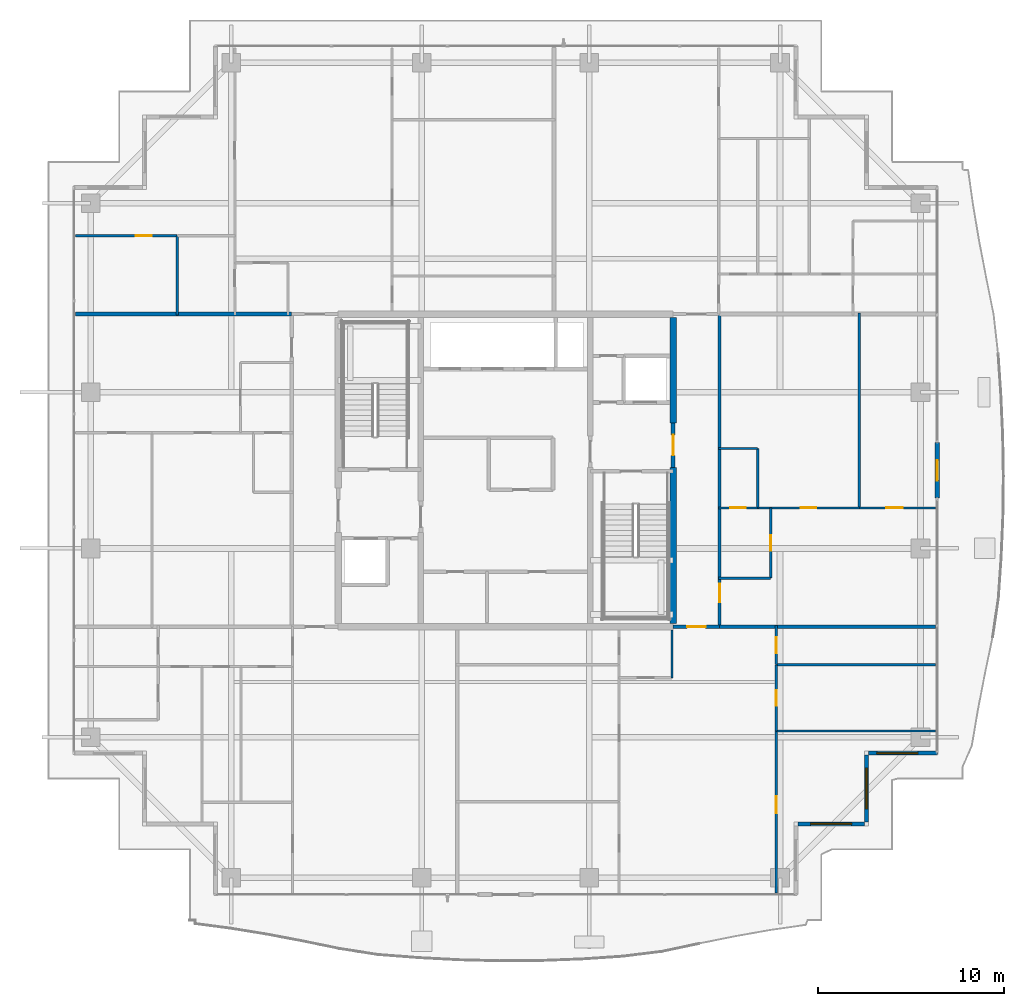
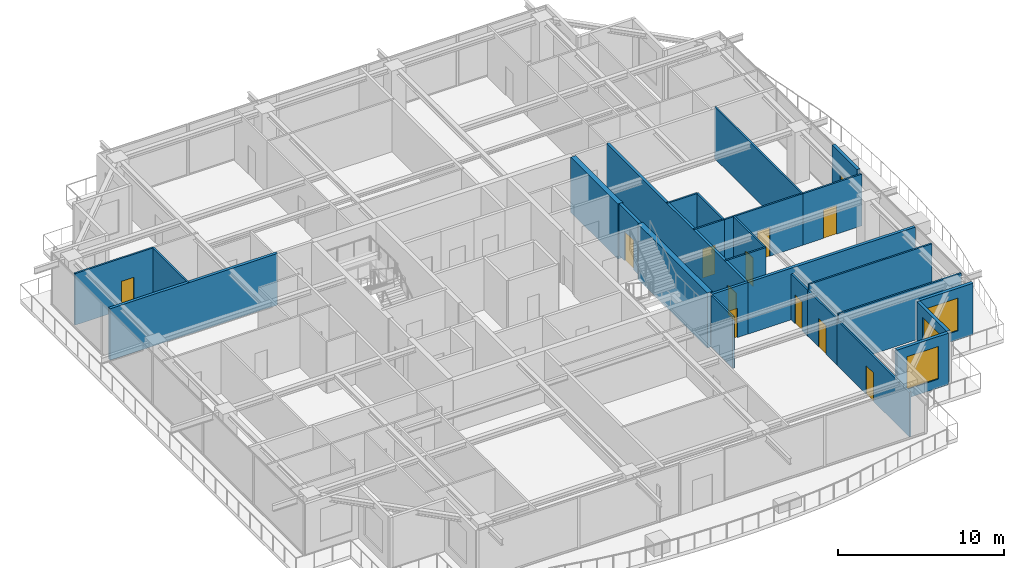
# One storey, part 32 of 41: 27 walls, 12 doors, 3 windows, 15 openings.
"""IFC4 building model written with IfcOpenShell, lengths in metres."""

from ifc_helpers import new_model, si_unit, direction, frame, frame_2d, origin, place, context, subcontext, project, spatial, rectangle, extrude, source, transform, mapped, material, layer, layer_set, type_object, element, fill, save


model = new_model("IFC4")

# Units and contexts
model_context = context("Model", 3, precision=1e-05, world=origin(), true_north=direction((0.0, 1.0)))
body_context = subcontext(model_context, "Body", "Model", "MODEL_VIEW")
ifc_project = project(units=[si_unit("LENGTHUNIT", "METRE"), si_unit("AREAUNIT", "SQUARE_METRE"), si_unit("VOLUMEUNIT", "CUBIC_METRE"), si_unit("PLANEANGLEUNIT", "RADIAN"), si_unit("MASSUNIT", "GRAM", prefix="KILO")], contexts=[model_context])

# Site, building, storey
site_placement = place(None, origin())
site = spatial("IfcSite", under=ifc_project, at=site_placement, CompositionType="ELEMENT")
building_placement = place(site_placement, origin())
building = spatial("IfcBuilding", under=site, at=building_placement, Name="Serunith Strait Residences", CompositionType="ELEMENT")
storey_placement = place(building_placement, frame((0.0, 0.0, 301.550048828125)))
storey = spatial("IfcBuildingStorey", under=building, at=storey_placement, Name="L75", CompositionType="ELEMENT", Elevation=301.550048828125)

# Wall, opening, window
ifc_material_1 = material(Name="Pale-Champagne Aluminium Insulated Panel", Category="aluminium")
ifc_layer_1 = layer(ifc_material_1, 0.219970703125, Name="Pale-Champagne Aluminium Insulated Panel")
ifc_layer_set_1 = layer_set([ifc_layer_1], Name="Pale-Champagne Aluminium Insulated Panel")
wall_type_1 = type_object("IfcWallType", Name="EW-ALUM-220", PredefinedType="ELEMENTEDWALL", material=ifc_layer_set_1)
wall_1_placement = place(storey_placement, frame((48.110107421875, 6.199951171875, 0.0), z_axis=(0.0, 0.0, 1.0), x_axis=(1.0, 0.0, 0.0)))
wall_1 = element("IfcWall", 1, at=wall_1_placement, inside=storey, type_object=wall_type_1, Name="L75 Girih Serrated Corner Wall 03", PredefinedType="ELEMENTEDWALL", context=body_context, shape_type="SweptSolid", body=[
    extrude(rectangle(XDim=3.579833984375, YDim=0.219970703125, at=frame_2d((1.7900390625, 0.0))), origin(), (0.0, 0.0, 1.0), 3.77490234375),
])
opening_1_placement = place(wall_1_placement, frame((0.68994140625, 0.0, 0.64990234375)))
opening_1 = element("IfcOpeningElement", 2, at=opening_1_placement, cuts=wall_1, Name="Opening W-06", PredefinedType="OPENING", context=body_context, shape_type="SweptSolid", body=[
    extrude(rectangle(XDim=2.199951171875, YDim=2.39990234375, at=frame_2d((1.10009765625, 1.199951171875))), frame((0.0, 0.1201171875, 0.0), z_axis=(0.0, -1.0, 0.0), x_axis=(1.0, 0.0, 0.0)), (0.0, 0.0, 1.0), 0.239990234375),
])
ifc_material_2 = material(Name="Crown Penthouse Low-E Operable Window Glass", Category="glass")
window_type = type_object("IfcWindowType", Name="WIN-C6", PartitioningType="TRIPLE_PANEL_VERTICAL", PredefinedType="WINDOW", material=ifc_material_2)
shared_shape_1 = source(origin(), body_context, "Body", "SweptSolid", [
    extrude(rectangle(XDim=2.199951171875, YDim=2.39990234375, at=frame_2d((1.10009765625, 1.199951171875))), frame((0.0, 0.030029296875, 0.0), z_axis=(0.0, -1.0, 0.0), x_axis=(1.0, 0.0, 0.0)), (0.0, 0.0, 1.0), 0.06005859375),
])
window_1_placement = place(opening_1_placement, origin())
window_1 = element("IfcWindow", 3, at=window_1_placement, inside=storey, type_object=window_type, Name="L75 Corner Operable Fritted Window 03", OverallHeight=2.39990234375, OverallWidth=2.199951171875, PartitioningType="SINGLE_PANEL", PredefinedType="WINDOW", context=body_context, shape_type="MappedRepresentation", body=[
    mapped(shared_shape_1, transform((0.0, 0.0, 0.0), scale=1.0)),
])
fill(opening_1, window_1)

wall_2_placement = place(storey_placement, frame((51.800048828125, 6.31005859375, 0.0), z_axis=(0.0, 0.0, 1.0), x_axis=(0.0, 1.0, 0.0)))
wall_2 = element("IfcWall", 4, at=wall_2_placement, inside=storey, type_object=wall_type_1, Name="L75 Girih Serrated Corner Wall 04", PredefinedType="ELEMENTEDWALL", context=body_context, shape_type="SweptSolid", body=[
    extrude(rectangle(XDim=3.579833984375, YDim=0.219970703125, at=frame_2d((1.7900390625, 0.0))), origin(), (0.0, 0.0, 1.0), 3.77490234375),
])
opening_2_placement = place(wall_2_placement, frame((0.68994140625, 0.0, 0.64990234375)))
opening_2 = element("IfcOpeningElement", 5, at=opening_2_placement, cuts=wall_2, Name="Opening W-06", PredefinedType="OPENING", context=body_context, shape_type="SweptSolid", body=[
    extrude(rectangle(XDim=2.199951171875, YDim=2.39990234375, at=frame_2d((1.10009765625, 1.199951171875))), frame((0.0, 0.1201171875, 0.0), z_axis=(0.0, -1.0, 0.0), x_axis=(1.0, 0.0, 0.0)), (0.0, 0.0, 1.0), 0.239990234375),
])
window_2_placement = place(opening_2_placement, origin())
window_2 = element("IfcWindow", 6, at=window_2_placement, inside=storey, type_object=window_type, Name="L75 Corner Operable Fritted Window 04", OverallHeight=2.39990234375, OverallWidth=2.199951171875, PartitioningType="SINGLE_PANEL", PredefinedType="WINDOW", context=body_context, shape_type="MappedRepresentation", body=[
    mapped(shared_shape_1, transform((0.0, 0.0, 0.0), scale=1.0)),
])
fill(opening_2, window_2)

wall_3_placement = place(storey_placement, frame((51.909912109375, 10.0, 0.0), z_axis=(0.0, 0.0, 1.0), x_axis=(1.0, 0.0, 0.0)))
wall_3 = element("IfcWall", 7, at=wall_3_placement, inside=storey, type_object=wall_type_1, Name="L75 Girih Serrated Corner Wall 05", PredefinedType="ELEMENTEDWALL", context=body_context, shape_type="SweptSolid", body=[
    extrude(rectangle(XDim=3.690185546875, YDim=0.219970703125, at=frame_2d((1.84521484375, 0.0))), origin(), (0.0, 0.0, 1.0), 3.77490234375),
])
opening_3_placement = place(wall_3_placement, frame((0.447021484375, 0.0, 0.64990234375)))
opening_3 = element("IfcOpeningElement", 8, at=opening_3_placement, cuts=wall_3, Name="Opening W-06", PredefinedType="OPENING", context=body_context, shape_type="SweptSolid", body=[
    extrude(rectangle(XDim=2.199951171875, YDim=2.39990234375, at=frame_2d((1.10009765625, 1.199951171875))), frame((0.0, 0.1201171875, 0.0), z_axis=(0.0, -1.0, 0.0), x_axis=(1.0, 0.0, 0.0)), (0.0, 0.0, 1.0), 0.239990234375),
])
window_3_placement = place(opening_3_placement, origin())
window_3 = element("IfcWindow", 9, at=window_3_placement, inside=storey, type_object=window_type, Name="L75 Corner Operable Fritted Window 05", OverallHeight=2.39990234375, OverallWidth=2.199951171875, PartitioningType="SINGLE_PANEL", PredefinedType="WINDOW", context=body_context, shape_type="MappedRepresentation", body=[
    mapped(shared_shape_1, transform((0.0, 0.0, 0.0), scale=1.0)),
])
fill(opening_3, window_3)

# Wall, opening, door
wall_4_placement = place(storey_placement, frame((55.60009765625, 23.699951171875, 0.0), z_axis=(0.0, 0.0, 1.0), x_axis=(0.0, 1.0, 0.0)))
wall_4 = element("IfcWall", 10, at=wall_4_placement, inside=storey, type_object=wall_type_1, Name="L75 E Facade Pier Wall", PredefinedType="ELEMENTEDWALL", context=body_context, shape_type="SweptSolid", body=[
    extrude(rectangle(XDim=3.0, YDim=0.219970703125, at=frame_2d((1.5, 0.0))), origin(), (0.0, 0.0, 1.0), 3.77490234375),
])
opening_4_placement = place(wall_4_placement, frame((0.949951171875, 0.0, 0.0)))
opening_4 = element("IfcOpeningElement", 11, at=opening_4_placement, cuts=wall_4, Name="Opening ED-03", PredefinedType="OPENING", context=body_context, shape_type="SweptSolid", body=[
    extrude(rectangle(XDim=1.10009765625, YDim=2.199951171875, at=frame_2d((0.550048828125, 1.10009765625))), frame((0.0, 0.1201171875, 0.0), z_axis=(0.0, -1.0, 0.0), x_axis=(1.0, 0.0, 0.0)), (0.0, 0.0, 1.0), 0.239990234375),
])
ifc_material_3 = material(Name="Thermally-Broken Aluminium Glazed Balcony Door", Category="aluminium")
door_type_1 = type_object("IfcDoorType", Name="ED-BALC-1100", OperationType="NOTDEFINED", PredefinedType="DOOR", material=ifc_material_3)
shared_shape_2 = source(origin(), body_context, "Body", "SweptSolid", [
    extrude(rectangle(XDim=1.10009765625, YDim=2.199951171875, at=frame_2d((0.550048828125, 1.10009765625))), frame((0.0, 0.02490234375, 0.0), z_axis=(0.0, -1.0, 0.0), x_axis=(1.0, 0.0, 0.0)), (0.0, 0.0, 1.0), 0.050048828125),
])
door_1_placement = place(opening_4_placement, origin())
door_1 = element("IfcDoor", 12, at=door_1_placement, inside=storey, type_object=door_type_1, Name="L75 E Vertical-Forest Balcony Door", OperationType="SINGLE_SWING_RIGHT", OverallHeight=2.199951171875, OverallWidth=1.10009765625, PredefinedType="DOOR", context=body_context, shape_type="MappedRepresentation", body=[
    mapped(shared_shape_2, transform((0.0, 0.0, 0.0), scale=1.0)),
])
fill(opening_4, door_1)

ifc_material_4 = material(Name="Fire-rated acoustic gypsum partition")
ifc_layer_2 = layer(ifc_material_4, 0.179931640625, Name="Fire-rated acoustic gypsum partition")
ifc_layer_set_2 = layer_set([ifc_layer_2], Name="Fire-rated acoustic gypsum partition")
wall_type_2 = type_object("IfcWallType", Name="IW-CORR-180", PredefinedType="PARTITIONING", material=ifc_layer_set_2)
wall_5_placement = place(storey_placement, frame((41.402099609375, 16.800048828125, 0.0), z_axis=(0.0, 0.0, 1.0), x_axis=(1.0, 0.0, 0.0)))
wall_5 = element("IfcWall", 13, at=wall_5_placement, inside=storey, type_object=wall_type_2, Name="L75 Partition Wall 028", PredefinedType="PARTITIONING", context=body_context, shape_type="SweptSolid", body=[
    extrude(rectangle(XDim=2.495849609375, YDim=0.179931640625, at=frame_2d((1.248046875, 0.0))), origin(), (0.0, 0.0, 1.0), 3.7900390625),
])
opening_5_placement = place(wall_5_placement, frame((0.748046875, 0.0, 0.0)))
opening_5 = element("IfcOpeningElement", 14, at=opening_5_placement, cuts=wall_5, Name="Opening D-APT1000", PredefinedType="OPENING", context=body_context, shape_type="SweptSolid", body=[
    extrude(rectangle(XDim=1.0, YDim=2.14990234375, at=frame_2d((0.5, 1.074951171875))), frame((0.0, 0.10009765625, 0.0), z_axis=(0.0, -1.0, 0.0), x_axis=(1.0, 0.0, 0.0)), (0.0, 0.0, 1.0), 0.199951171875),
])
ifc_material_5 = material(Name="Solid timber engineered fire door", Category="wood")
door_type_2 = type_object("IfcDoorType", Name="ID-APT-1000", OperationType="NOTDEFINED", PredefinedType="DOOR", material=ifc_material_5)
shared_shape_3 = source(origin(), body_context, "Body", "SweptSolid", [
    extrude(rectangle(XDim=1.0, YDim=2.14990234375, at=frame_2d((0.5, 1.074951171875))), frame((0.0, 0.02490234375, 0.0), z_axis=(0.0, -1.0, 0.0), x_axis=(1.0, 0.0, 0.0)), (0.0, 0.0, 1.0), 0.050048828125),
])
door_2_placement = place(opening_5_placement, origin())
door_2 = element("IfcDoor", 15, at=door_2_placement, inside=storey, type_object=door_type_2, Name="L75 Unit 02 Entrance Door", OperationType="SINGLE_SWING_LEFT", OverallHeight=2.14990234375, OverallWidth=1.0, PredefinedType="DOOR", context=body_context, shape_type="MappedRepresentation", body=[
    mapped(shared_shape_3, transform((0.0, 0.0, 0.0), scale=1.0)),
])
fill(opening_5, door_2)

wall_6_placement = place(storey_placement, frame((43.89990234375, 16.800048828125, 0.0), z_axis=(0.0, 0.0, 1.0), x_axis=(0.0, 1.0, 0.0)))
wall_6 = element("IfcWall", 16, at=wall_6_placement, inside=storey, type_object=wall_type_2, Name="L75 Partition Wall 030", PredefinedType="PARTITIONING", context=body_context, shape_type="SweptSolid", body=[
    extrude(rectangle(XDim=16.800048828125, YDim=0.179931640625, at=frame_2d((8.39990234375, 0.0))), origin(), (0.0, 0.0, 1.0), 3.7900390625),
])
opening_6_placement = place(wall_6_placement, frame((1.300048828125, 0.0, 0.0)))
opening_6 = element("IfcOpeningElement", 17, at=opening_6_placement, cuts=wall_6, Name="Opening D-APT1000", PredefinedType="OPENING", context=body_context, shape_type="SweptSolid", body=[
    extrude(rectangle(XDim=1.0, YDim=2.14990234375, at=frame_2d((0.5, 1.074951171875))), frame((0.0, 0.10009765625, 0.0), z_axis=(0.0, -1.0, 0.0), x_axis=(1.0, 0.0, 0.0)), (0.0, 0.0, 1.0), 0.199951171875),
])
door_3_placement = place(opening_6_placement, origin())
door_3 = element("IfcDoor", 18, at=door_3_placement, inside=storey, type_object=door_type_2, Name="L75 Unit 06 Entrance Door", OperationType="SINGLE_SWING_LEFT", OverallHeight=2.14990234375, OverallWidth=1.0, PredefinedType="DOOR", context=body_context, shape_type="MappedRepresentation", body=[
    mapped(shared_shape_3, transform((0.0, 0.0, 0.0), scale=1.0)),
])
fill(opening_6, door_3)

# Wall
ifc_material_6 = material(Name="Lightweight steel-stud gypsum partition", Category="steel")
ifc_layer_3 = layer(ifc_material_6, 0.1201171875, Name="Lightweight steel-stud gypsum partition")
ifc_layer_set_3 = layer_set([ifc_layer_3], Name="Lightweight steel-stud gypsum partition")
wall_type_3 = type_object("IfcWallType", Name="IW-PART-120", PredefinedType="PARTITIONING", material=ifc_layer_set_3)
wall_7_placement = place(storey_placement, frame((41.35009765625, 14.050048828125, 0.0), z_axis=(0.0, 0.0, 1.0), x_axis=(0.0, 1.0, 0.0)))
element("IfcWall", 19, at=wall_7_placement, inside=storey, type_object=wall_type_3, Name="L75 Partition Wall 045", PredefinedType="PARTITIONING", context=body_context, shape_type="SweptSolid", body=[
    extrude(rectangle(XDim=2.574951171875, YDim=0.1201171875, at=frame_2d((1.28759765625, 0.0))), origin(), (0.0, 0.0, 1.0), 3.7900390625),
])

# Wall, opening, door
wall_8_placement = place(storey_placement, frame((46.949951171875, 2.4951171875, 0.0), z_axis=(0.0, 0.0, 1.0), x_axis=(0.0, 1.0, 0.0)))
wall_8 = element("IfcWall", 20, at=wall_8_placement, inside=storey, type_object=wall_type_3, Name="L75 Partition Wall 051", PredefinedType="PARTITIONING", context=body_context, shape_type="SweptSolid", body=[
    extrude(rectangle(XDim=8.68798828125, YDim=0.1201171875, at=frame_2d((4.343994140625, 0.0))), origin(), (0.0, 0.0, 1.0), 3.2919921875),
])
opening_7_placement = place(wall_8_placement, frame((4.282958984375, 0.0, 0.0)))
opening_7 = element("IfcOpeningElement", 21, at=opening_7_placement, cuts=wall_8, Name="Opening D-RM900", PredefinedType="OPENING", context=body_context, shape_type="SweptSolid", body=[
    extrude(rectangle(XDim=0.89990234375, YDim=2.10009765625, at=frame_2d((0.449951171875, 1.050048828125))), frame((0.0, 0.070068359375, 0.0), z_axis=(0.0, -1.0, 0.0), x_axis=(1.0, 0.0, 0.0)), (0.0, 0.0, 1.0), 0.14013671875),
])
ifc_material_7 = material(Name="Engineered timber flush bedroom door", Category="wood")
door_type_3 = type_object("IfcDoorType", Name="ID-ROOM-900", OperationType="NOTDEFINED", PredefinedType="DOOR", material=ifc_material_7)
shared_shape_4 = source(origin(), body_context, "Body", "SweptSolid", [
    extrude(rectangle(XDim=0.89990234375, YDim=2.10009765625, at=frame_2d((0.449951171875, 1.050048828125))), frame((0.0, 0.02490234375, 0.0), z_axis=(0.0, -1.0, 0.0), x_axis=(1.0, 0.0, 0.0)), (0.0, 0.0, 1.0), 0.050048828125),
])
door_4_placement = place(opening_7_placement, origin())
door_4 = element("IfcDoor", 22, at=door_4_placement, inside=storey, type_object=door_type_3, Name="L75 Bedroom 2 7502 Door", OperationType="SINGLE_SWING_LEFT", OverallHeight=2.10009765625, OverallWidth=0.89990234375, PredefinedType="DOOR", context=body_context, shape_type="MappedRepresentation", body=[
    mapped(shared_shape_4, transform((0.0, 0.0, 0.0), scale=1.0)),
])
fill(opening_7, door_4)

# Walls
for number, where, z_axis, x_axis, name in (
    (23, (46.949951171875, 11.18310546875, 0.0), (0.0, 0.0, 1.0), (1.0, 0.0, 0.0), "L75 Partition Wall 052"),
    (24, (46.949951171875, 14.75, 0.0), (0.0, 0.0, 1.0), (1.0, 0.0, 0.0), "L75 Partition Wall 053"),
):
    element("IfcWall", number, at=place(storey_placement, frame(where, z_axis=z_axis, x_axis=x_axis)), inside=storey, type_object=wall_type_3, Name=name, PredefinedType="PARTITIONING", context=body_context, shape_type="SweptSolid", body=[
        extrude(rectangle(XDim=8.554931640625, YDim=0.1201171875, at=frame_2d((4.27734375, 0.0))), origin(), (0.0, 0.0, 1.0), 3.7900390625),
    ])

# Wall, opening, door
wall_9_placement = place(storey_placement, frame((46.949951171875, 11.18505859375, 0.0), z_axis=(0.0, 0.0, 1.0), x_axis=(0.0, 1.0, 0.0)))
wall_9 = element("IfcWall", 25, at=wall_9_placement, inside=storey, type_object=wall_type_3, Name="L75 Partition Wall 054", PredefinedType="PARTITIONING", context=body_context, shape_type="SweptSolid", body=[
    extrude(rectangle(XDim=3.56494140625, YDim=0.1201171875, at=frame_2d((1.782470703125, 0.0))), origin(), (0.0, 0.0, 1.0), 3.3720703125),
])
opening_8_placement = place(wall_9_placement, frame((1.35693359375, 0.0, 0.0)))
opening_8 = element("IfcOpeningElement", 26, at=opening_8_placement, cuts=wall_9, Name="Opening D-RM850", PredefinedType="OPENING", context=body_context, shape_type="SweptSolid", body=[
    extrude(rectangle(XDim=0.85009765625, YDim=2.10009765625, at=frame_2d((0.425048828125, 1.050048828125))), frame((0.0, 0.070068359375, 0.0), z_axis=(0.0, -1.0, 0.0), x_axis=(1.0, 0.0, 0.0)), (0.0, 0.0, 1.0), 0.14013671875),
])
ifc_material_8 = material(Name="Engineered timber flush study and kitchen door", Category="wood")
door_type_4 = type_object("IfcDoorType", Name="ID-ROOM-850", OperationType="NOTDEFINED", PredefinedType="DOOR", material=ifc_material_8)
shared_shape_5 = source(origin(), body_context, "Body", "SweptSolid", [
    extrude(rectangle(XDim=0.85009765625, YDim=2.10009765625, at=frame_2d((0.425048828125, 1.050048828125))), frame((0.0, 0.02490234375, 0.0), z_axis=(0.0, -1.0, 0.0), x_axis=(1.0, 0.0, 0.0)), (0.0, 0.0, 1.0), 0.050048828125),
])
door_5_placement = place(opening_8_placement, origin())
door_5 = element("IfcDoor", 27, at=door_5_placement, inside=storey, type_object=door_type_4, Name="L75 Walk-in Wardrobe 7502 Door", OperationType="SINGLE_SWING_RIGHT", OverallHeight=2.10009765625, OverallWidth=0.85009765625, PredefinedType="DOOR", context=body_context, shape_type="MappedRepresentation", body=[
    mapped(shared_shape_5, transform((0.0, 0.0, 0.0), scale=1.0)),
])
fill(opening_8, door_5)

wall_10_placement = place(storey_placement, frame((46.949951171875, 14.751953125, 0.0), z_axis=(0.0, 0.0, 1.0), x_axis=(0.0, 1.0, 0.0)))
wall_10 = element("IfcWall", 28, at=wall_10_placement, inside=storey, type_object=wall_type_3, Name="L75 Partition Wall 055", PredefinedType="PARTITIONING", context=body_context, shape_type="SweptSolid", body=[
    extrude(rectangle(XDim=2.108154296875, YDim=0.1201171875, at=frame_2d((1.05419921875, 0.0))), origin(), (0.0, 0.0, 1.0), 3.3720703125),
])
opening_9_placement = place(wall_10_placement, frame((0.62890625, 0.0, 0.0)))
opening_9 = element("IfcOpeningElement", 29, at=opening_9_placement, cuts=wall_10, Name="Opening D-BTH850", PredefinedType="OPENING", context=body_context, shape_type="SweptSolid", body=[
    extrude(rectangle(XDim=0.85009765625, YDim=2.10009765625, at=frame_2d((0.425048828125, 1.050048828125))), frame((0.0, 0.070068359375, 0.0), z_axis=(0.0, -1.0, 0.0), x_axis=(1.0, 0.0, 0.0)), (0.0, 0.0, 1.0), 0.14013671875),
])
ifc_material_9 = material(Name="Moisture-resistant timber bathroom door", Category="wood")
door_type_5 = type_object("IfcDoorType", Name="ID-BATH-850", OperationType="NOTDEFINED", PredefinedType="DOOR", material=ifc_material_9)
door_6_placement = place(opening_9_placement, origin())
door_6 = element("IfcDoor", 30, at=door_6_placement, inside=storey, type_object=door_type_5, Name="L75 Bathroom 7502 Door", OperationType="SINGLE_SWING_LEFT", OverallHeight=2.10009765625, OverallWidth=0.85009765625, PredefinedType="DOOR", context=body_context, shape_type="MappedRepresentation", body=[
    mapped(shared_shape_5, transform((0.0, 0.0, 0.0), scale=1.0)),
])
fill(opening_9, door_6)

wall_11_placement = place(storey_placement, frame((9.294921875, 37.806884765625, 0.0), z_axis=(0.0, 0.0, 1.0), x_axis=(1.0, 0.0, 0.0)))
wall_11 = element("IfcWall", 31, at=wall_11_placement, inside=storey, type_object=wall_type_3, Name="L75 Partition Wall 059", PredefinedType="PARTITIONING", context=body_context, shape_type="SweptSolid", body=[
    extrude(rectangle(XDim=5.455078125, YDim=0.1201171875, at=frame_2d((2.7275390625, 0.0))), origin(), (0.0, 0.0, 1.0), 3.7900390625),
])
opening_10_placement = place(wall_11_placement, frame((3.22412109375, 0.0, 0.0)))
opening_10 = element("IfcOpeningElement", 32, at=opening_10_placement, cuts=wall_11, Name="Opening D-RM850", PredefinedType="OPENING", context=body_context, shape_type="SweptSolid", body=[
    extrude(rectangle(XDim=0.85009765625, YDim=2.10009765625, at=frame_2d((0.425048828125, 1.050048828125))), frame((0.0, 0.070068359375, 0.0), z_axis=(0.0, -1.0, 0.0), x_axis=(1.0, 0.0, 0.0)), (0.0, 0.0, 1.0), 0.14013671875),
])
door_7_placement = place(opening_10_placement, origin())
door_7 = element("IfcDoor", 33, at=door_7_placement, inside=storey, type_object=door_type_4, Name="L75 Wardrobe 7503 Door", OperationType="SINGLE_SWING_RIGHT", OverallHeight=2.10009765625, OverallWidth=0.85009765625, PredefinedType="DOOR", context=body_context, shape_type="MappedRepresentation", body=[
    mapped(shared_shape_5, transform((0.0, 0.0, 0.0), scale=1.0)),
])
fill(opening_10, door_7)

# Wall
wall_12_placement = place(storey_placement, frame((14.75, 37.806884765625, 0.0), z_axis=(0.0, 0.0, 1.0), x_axis=(0.0, -1.0, 0.0)))
element("IfcWall", 34, at=wall_12_placement, inside=storey, type_object=wall_type_3, Name="L75 Partition Wall 061", PredefinedType="PARTITIONING", context=body_context, shape_type="SweptSolid", body=[
    extrude(rectangle(XDim=4.266845703125, YDim=0.1201171875, at=frame_2d((2.13330078125, 0.0))), origin(), (0.0, 0.0, 1.0), 3.7900390625),
])

# Wall, opening, door
wall_13_placement = place(storey_placement, frame((46.64990234375, 19.39990234375, 0.0), z_axis=(0.0, 0.0, 1.0), x_axis=(0.0, 1.0, 0.0)))
wall_13 = element("IfcWall", 35, at=wall_13_placement, inside=storey, type_object=wall_type_3, Name="L75 Partition Wall 089", PredefinedType="PARTITIONING", context=body_context, shape_type="SweptSolid", body=[
    extrude(rectangle(XDim=3.780029296875, YDim=0.1201171875, at=frame_2d((1.89013671875, 0.0))), origin(), (0.0, 0.0, 1.0), 3.7900390625),
])
opening_11_placement = place(wall_13_placement, frame((1.465087890625, 0.0, 0.0)))
opening_11 = element("IfcOpeningElement", 36, at=opening_11_placement, cuts=wall_13, Name="Opening D-RM850", PredefinedType="OPENING", context=body_context, shape_type="SweptSolid", body=[
    extrude(rectangle(XDim=0.85009765625, YDim=2.10009765625, at=frame_2d((0.425048828125, 1.050048828125))), frame((0.0, 0.070068359375, 0.0), z_axis=(0.0, -1.0, 0.0), x_axis=(1.0, 0.0, 0.0)), (0.0, 0.0, 1.0), 0.14013671875),
])
door_8_placement = place(opening_11_placement, origin())
door_8 = element("IfcDoor", 37, at=door_8_placement, inside=storey, type_object=door_type_4, Name="L75 Kitchen 7506 Door", OperationType="SINGLE_SWING_RIGHT", OverallHeight=2.10009765625, OverallWidth=0.85009765625, PredefinedType="DOOR", context=body_context, shape_type="MappedRepresentation", body=[
    mapped(shared_shape_5, transform((0.0, 0.0, 0.0), scale=1.0)),
])
fill(opening_11, door_8)

# Wall
wall_14_placement = place(storey_placement, frame((46.64990234375, 19.39990234375, 0.0), z_axis=(0.0, 0.0, 1.0), x_axis=(-1.0, 0.0, 0.0)))
element("IfcWall", 38, at=wall_14_placement, inside=storey, type_object=wall_type_3, Name="L75 Partition Wall 090", PredefinedType="PARTITIONING", context=body_context, shape_type="SweptSolid", body=[
    extrude(rectangle(XDim=2.809814453125, YDim=0.1201171875, at=frame_2d((1.40478515625, 0.0))), origin(), (0.0, 0.0, 1.0), 3.7900390625),
])

# Wall, opening, door
wall_15_placement = place(storey_placement, frame((55.5048828125, 23.179931640625, 0.0), z_axis=(0.0, 0.0, 1.0), x_axis=(-1.0, 0.0, 0.0)))
wall_15 = element("IfcWall", 39, at=wall_15_placement, inside=storey, type_object=wall_type_3, Name="L75 Partition Wall 091", PredefinedType="PARTITIONING", context=body_context, shape_type="SweptSolid", body=[
    extrude(rectangle(XDim=4.093994140625, YDim=0.1201171875, at=frame_2d((2.046875, 0.0))), origin(), (0.0, 0.0, 1.0), 3.7900390625),
])
opening_12_placement = place(wall_15_placement, frame((1.757080078125, 0.0, 0.0)))
opening_12 = element("IfcOpeningElement", 40, at=opening_12_placement, cuts=wall_15, Name="Opening D-RM900", PredefinedType="OPENING", context=body_context, shape_type="SweptSolid", body=[
    extrude(rectangle(XDim=0.89990234375, YDim=2.10009765625, at=frame_2d((0.449951171875, 1.050048828125))), frame((0.0, 0.070068359375, 0.0), z_axis=(0.0, -1.0, 0.0), x_axis=(1.0, 0.0, 0.0)), (0.0, 0.0, 1.0), 0.14013671875),
])
door_9_placement = place(opening_12_placement, origin())
door_9 = element("IfcDoor", 41, at=door_9_placement, inside=storey, type_object=door_type_3, Name="L75 Master Bedroom 1 7506 Door", OperationType="SINGLE_SWING_LEFT", OverallHeight=2.10009765625, OverallWidth=0.89990234375, PredefinedType="DOOR", context=body_context, shape_type="MappedRepresentation", body=[
    mapped(shared_shape_4, transform((0.0, 0.0, 0.0), scale=1.0)),
])
fill(opening_12, door_9)

# Walls
wall_16_placement = place(storey_placement, frame((51.410888671875, 23.179931640625, 0.0), z_axis=(0.0, 0.0, 1.0), x_axis=(0.0, 1.0, 0.0)))
element("IfcWall", 42, at=wall_16_placement, inside=storey, type_object=wall_type_3, Name="L75 Partition Wall 092", PredefinedType="PARTITIONING", context=body_context, shape_type="SweptSolid", body=[
    extrude(rectangle(XDim=10.47998046875, YDim=0.1201171875, at=frame_2d((5.239990234375, 0.0))), origin(), (0.0, 0.0, 1.0), 3.7900390625),
])
wall_17_placement = place(storey_placement, frame((45.949951171875, 23.179931640625, 0.0), z_axis=(0.0, 0.0, 1.0), x_axis=(0.0, 1.0, 0.0)))
element("IfcWall", 43, at=wall_17_placement, inside=storey, type_object=wall_type_3, Name="L75 Partition Wall 093", PredefinedType="PARTITIONING", context=body_context, shape_type="SweptSolid", body=[
    extrude(rectangle(XDim=3.199951171875, YDim=0.1201171875, at=frame_2d((1.60009765625, 0.0))), origin(), (0.0, 0.0, 1.0), 3.7900390625),
])
wall_18_placement = place(storey_placement, frame((45.949951171875, 26.3798828125, 0.0), z_axis=(0.0, 0.0, 1.0), x_axis=(-1.0, 0.0, 0.0)))
element("IfcWall", 44, at=wall_18_placement, inside=storey, type_object=wall_type_3, Name="L75 Partition Wall 094", PredefinedType="PARTITIONING", context=body_context, shape_type="SweptSolid", body=[
    extrude(rectangle(XDim=2.10986328125, YDim=0.1201171875, at=frame_2d((1.054931640625, 0.0))), origin(), (0.0, 0.0, 1.0), 3.7900390625),
])

# Wall, opening, door
wall_19_placement = place(storey_placement, frame((51.408935546875, 23.179931640625, 0.0), z_axis=(0.0, 0.0, 1.0), x_axis=(-1.0, 0.0, 0.0)))
wall_19 = element("IfcWall", 45, at=wall_19_placement, inside=storey, type_object=wall_type_3, Name="L75 Partition Wall 095", PredefinedType="PARTITIONING", context=body_context, shape_type="SweptSolid", body=[
    extrude(rectangle(XDim=5.458984375, YDim=0.1201171875, at=frame_2d((2.7294921875, 0.0))), origin(), (0.0, 0.0, 1.0), 3.7900390625),
])
opening_13_placement = place(wall_19_placement, frame((2.303955078125, 0.0, 0.0)))
opening_13 = element("IfcOpeningElement", 46, at=opening_13_placement, cuts=wall_19, Name="Opening D-RM850", PredefinedType="OPENING", context=body_context, shape_type="SweptSolid", body=[
    extrude(rectangle(XDim=0.85009765625, YDim=2.10009765625, at=frame_2d((0.425048828125, 1.050048828125))), frame((0.0, 0.070068359375, 0.0), z_axis=(0.0, -1.0, 0.0), x_axis=(1.0, 0.0, 0.0)), (0.0, 0.0, 1.0), 0.14013671875),
])
door_10_placement = place(opening_13_placement, origin())
door_10 = element("IfcDoor", 47, at=door_10_placement, inside=storey, type_object=door_type_4, Name="L75 Walk-in Wardrobe 7506 Door", OperationType="SINGLE_SWING_RIGHT", OverallHeight=2.10009765625, OverallWidth=0.85009765625, PredefinedType="DOOR", context=body_context, shape_type="MappedRepresentation", body=[
    mapped(shared_shape_5, transform((0.0, 0.0, 0.0), scale=1.0)),
])
fill(opening_13, door_10)

wall_20_placement = place(storey_placement, frame((45.947998046875, 23.179931640625, 0.0), z_axis=(0.0, 0.0, 1.0), x_axis=(-1.0, 0.0, 0.0)))
wall_20 = element("IfcWall", 48, at=wall_20_placement, inside=storey, type_object=wall_type_3, Name="L75 Partition Wall 096", PredefinedType="PARTITIONING", context=body_context, shape_type="SweptSolid", body=[
    extrude(rectangle(XDim=2.10791015625, YDim=0.1201171875, at=frame_2d((1.053955078125, 0.0))), origin(), (0.0, 0.0, 1.0), 3.7900390625),
])
opening_14_placement = place(wall_20_placement, frame((0.62890625, 0.0, 0.0)))
opening_14 = element("IfcOpeningElement", 49, at=opening_14_placement, cuts=wall_20, Name="Opening D-BTH850", PredefinedType="OPENING", context=body_context, shape_type="SweptSolid", body=[
    extrude(rectangle(XDim=0.85009765625, YDim=2.10009765625, at=frame_2d((0.425048828125, 1.050048828125))), frame((0.0, 0.070068359375, 0.0), z_axis=(0.0, -1.0, 0.0), x_axis=(1.0, 0.0, 0.0)), (0.0, 0.0, 1.0), 0.14013671875),
])
door_11_placement = place(opening_14_placement, origin())
door_11 = element("IfcDoor", 50, at=door_11_placement, inside=storey, type_object=door_type_5, Name="L75 Bathroom 7506 Door", OperationType="SINGLE_SWING_LEFT", OverallHeight=2.10009765625, OverallWidth=0.85009765625, PredefinedType="DOOR", context=body_context, shape_type="MappedRepresentation", body=[
    mapped(shared_shape_5, transform((0.0, 0.0, 0.0), scale=1.0)),
])
fill(opening_14, door_11)

# Walls
ifc_material_10 = material(Name="Twin-stud acoustic gypsum board partition")
ifc_layer_4 = layer(ifc_material_10, 0.199951171875, Name="Twin-stud acoustic gypsum board partition")
ifc_layer_set_4 = layer_set([ifc_layer_4], Name="Twin-stud acoustic gypsum board partition")
wall_type_4 = type_object("IfcWallType", Name="IW-PARTY-200", PredefinedType="PARTITIONING", material=ifc_layer_set_4)
wall_21_placement = place(storey_placement, frame((43.89990234375, 16.800048828125, 0.0), z_axis=(0.0, 0.0, 1.0), x_axis=(1.0, 0.0, 0.0)))
element("IfcWall", 51, at=wall_21_placement, inside=storey, type_object=wall_type_4, Name="L75 Partition Wall 022", PredefinedType="PARTITIONING", context=body_context, shape_type="SweptSolid", body=[
    extrude(rectangle(XDim=11.6181640625, YDim=0.199951171875, at=frame_2d((5.80908203125, 0.0))), origin(), (0.0, 0.0, 1.0), 3.7900390625),
])
wall_22_placement = place(storey_placement, frame((9.281982421875, 33.60009765625, 0.0), z_axis=(0.0, 0.0, 1.0), x_axis=(1.0, 0.0, 0.0)))
element("IfcWall", 52, at=wall_22_placement, inside=storey, type_object=wall_type_4, Name="L75 Partition Wall 023", PredefinedType="PARTITIONING", context=body_context, shape_type="SweptSolid", body=[
    extrude(rectangle(XDim=11.617919921875, YDim=0.199951171875, at=frame_2d((5.80908203125, 0.0))), origin(), (0.0, 0.0, 1.0), 3.7900390625),
])

# Wall, opening, door
ifc_material_11 = material(Name="Autoclaved aerated concrete blockwork", Category="masonry")
ifc_layer_5 = layer(ifc_material_11, 0.199951171875, Name="Autoclaved aerated concrete blockwork")
ifc_layer_set_5 = layer_set([ifc_layer_5], Name="Autoclaved aerated concrete blockwork")
wall_type_5 = type_object("IfcWallType", Name="IW-SHAFT-200", PredefinedType="STANDARD", material=ifc_layer_set_5)
wall_23_placement = place(storey_placement, frame((41.39990234375, 25.35205078125, 0.0), z_axis=(0.0, 0.0, 1.0), x_axis=(0.0, 1.0, 0.0)))
wall_23 = element("IfcWall", 53, at=wall_23_placement, inside=storey, type_object=wall_type_5, Name="L75 Partition Wall 008", PredefinedType="STANDARD", context=body_context, shape_type="SweptSolid", body=[
    extrude(rectangle(XDim=2.39599609375, YDim=0.199951171875, at=frame_2d((1.197998046875, 0.0))), origin(), (0.0, 0.0, 1.0), 3.7900390625),
])
opening_15_placement = place(wall_23_placement, frame((0.64794921875, 0.0, 0.0)))
opening_15 = element("IfcOpeningElement", 54, at=opening_15_placement, cuts=wall_23, Name="Opening FD-FFL", PredefinedType="OPENING", context=body_context, shape_type="SweptSolid", body=[
    extrude(rectangle(XDim=1.10009765625, YDim=2.14990234375, at=frame_2d((0.550048828125, 1.074951171875))), frame((0.0, 0.10986328125, 0.0), z_axis=(0.0, -1.0, 0.0), x_axis=(1.0, 0.0, 0.0)), (0.0, 0.0, 1.0), 0.219970703125),
])
ifc_material_12 = material(Name="Glazed steel smoke-lobby fire door", Category="steel")
door_type_6 = type_object("IfcDoorType", Name="FD-FFL-1100", OperationType="NOTDEFINED", PredefinedType="DOOR", material=ifc_material_12)
shared_shape_6 = source(origin(), body_context, "Body", "SweptSolid", [
    extrude(rectangle(XDim=1.10009765625, YDim=2.14990234375, at=frame_2d((0.550048828125, 1.074951171875))), frame((0.0, 0.02490234375, 0.0), z_axis=(0.0, -1.0, 0.0), x_axis=(1.0, 0.0, 0.0)), (0.0, 0.0, 1.0), 0.050048828125),
])
door_12_placement = place(opening_15_placement, origin())
door_12 = element("IfcDoor", 55, at=door_12_placement, inside=storey, type_object=door_type_6, Name="L75 FFL-2 Corridor Fire Door", OperationType="SINGLE_SWING_LEFT", OverallHeight=2.14990234375, OverallWidth=1.10009765625, PredefinedType="DOOR", context=body_context, shape_type="MappedRepresentation", body=[
    mapped(shared_shape_6, transform((0.0, 0.0, 0.0), scale=1.0)),
])
fill(opening_15, door_12)

# Walls
ifc_material_13 = material(Name="Concrete C60/75", Category="concrete")
ifc_layer_6 = layer(ifc_material_13, 0.35009765625, Name="Concrete C60/75")
ifc_layer_set_6 = layer_set([ifc_layer_6], Name="Concrete C60/75")
wall_type_6 = type_object("IfcWallType", Name="SW-350-C60", PredefinedType="SHEAR", material=ifc_layer_set_6)
wall_24_placement = place(storey_placement, frame((41.39990234375, 16.97509765625, -0.260009765625), z_axis=(0.0, 0.0, 1.0), x_axis=(0.0, 1.0, 0.0)))
element("IfcWall", 56, at=wall_24_placement, inside=storey, type_object=wall_type_6, Name="L75 Core East Shear Wall South Pier", PredefinedType="SHEAR", context=body_context, shape_type="SweptSolid", body=[
    extrude(rectangle(XDim=8.375, YDim=0.35009765625, at=frame_2d((4.1875, 0.0))), origin(), (0.0, 0.0, 1.0), 4.0478515625),
])
wall_25_placement = place(storey_placement, frame((41.39990234375, 27.75, -0.260009765625), z_axis=(0.0, 0.0, 1.0), x_axis=(0.0, 1.0, 0.0)))
element("IfcWall", 57, at=wall_25_placement, inside=storey, type_object=wall_type_6, Name="L75 Core East Shear Wall North Pier", PredefinedType="SHEAR", context=body_context, shape_type="SweptSolid", body=[
    extrude(rectangle(XDim=5.675048828125, YDim=0.35009765625, at=frame_2d((2.83740234375, 0.0))), origin(), (0.0, 0.0, 1.0), 4.0478515625),
])

save(model, "model.ifc")
